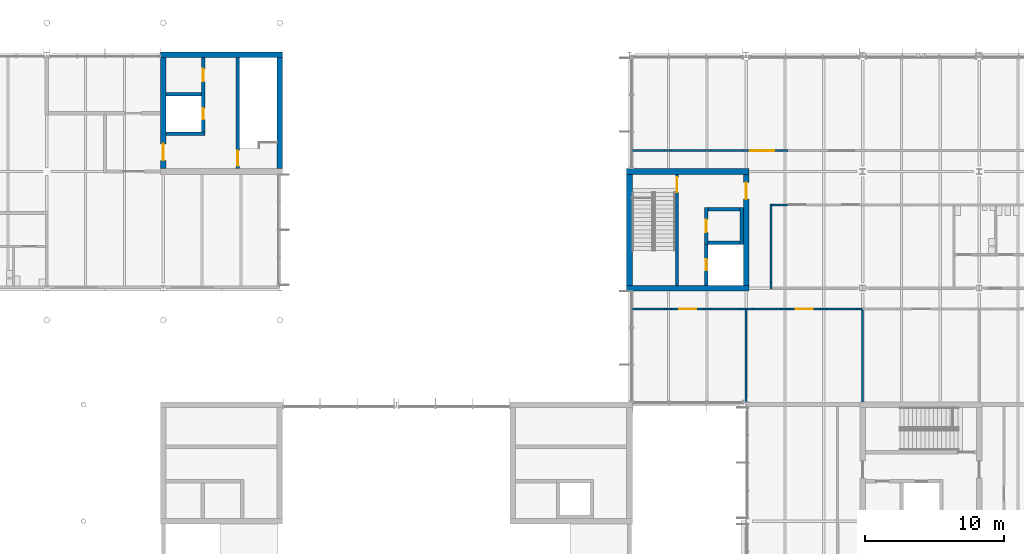
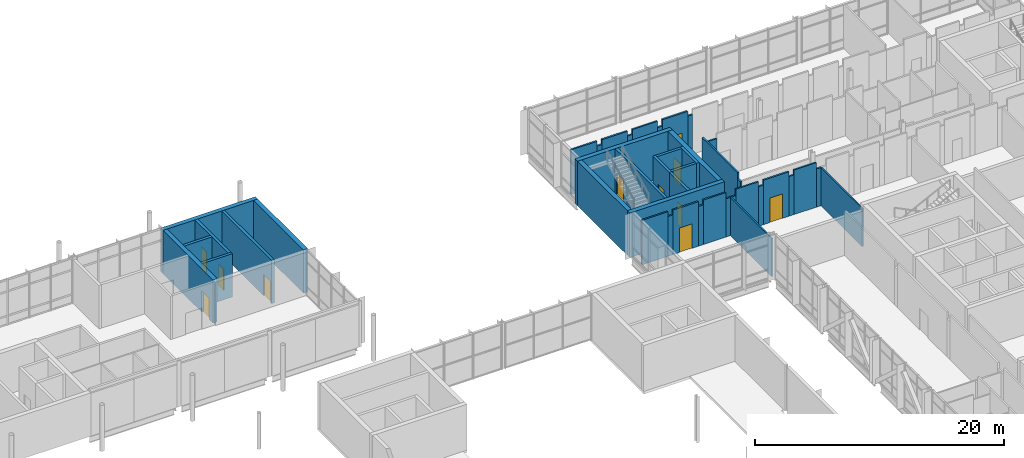
# One storey, part 57 of 89: 43 walls, 11 doors, 11 openings.
"""IFC4 building model written with IfcOpenShell, lengths in metres."""

import ifcopenshell
import ifcopenshell.guid

model = None  # the IFC model being written
_history = None  # IfcOwnerHistory: only IFC2X3 demands one
_inside = {}  # id of a spatial element -> (the spatial element, [elements in it])
_under = {}  # id of a project, library or spatial element -> (it, [spatial elements below it])
_declared = {}  # id of a project -> (the project, [libraries it declares])
_typed = {}  # id of a type object -> (the type object, [elements of that type])
_made_of = {}  # id of a material, layer set ... -> (it, [elements and type objects made of it])


def new_model(schema):
    """Start an empty IFC model of exactly this schema.

    Asked for "IFC4X3", IfcOpenShell would pick the latest addendum, in which some entities
    have other attributes; the version numbers below select the first issue.
    IFC2X3 requires an IfcOwnerHistory on every rooted entity: one is made here for all.
    """
    global model, _history
    if schema == "IFC4X3":
        model = ifcopenshell.file(schema_version=(4, 3, 0, 0))
    else:
        model = ifcopenshell.file(schema=schema)
    _inside.clear()
    _under.clear()
    _declared.clear()
    _typed.clear()
    _made_of.clear()
    _history = None
    if model.schema == "IFC2X3":
        org = make("IfcOrganization", Name="unknown")
        user = make(
            "IfcPersonAndOrganization",
            ThePerson=make("IfcPerson", FamilyName="unknown"),
            TheOrganization=org,
        )
        app = make(
            "IfcApplication",
            ApplicationDeveloper=org,
            Version="unknown",
            ApplicationFullName="unknown",
            ApplicationIdentifier="unknown",
        )
        _history = make(
            "IfcOwnerHistory",
            OwningUser=user,
            OwningApplication=app,
            ChangeAction="ADDED",
            CreationDate=0,
        )
    return model


def make(cls, **values):
    """One entity of the class cls with the attributes given. An attribute that is None is left unset."""
    return model.create_entity(
        cls, **{name: value for name, value in values.items() if value is not None}
    )


def rooted(cls, **values):
    """An entity with a GlobalId (a new one), such as an element, a storey or a relation."""
    return make(cls, GlobalId=ifcopenshell.guid.new(), OwnerHistory=_history, **values)


def si_unit(unit_type, name, prefix=None):
    """IfcSIUnit, for example si_unit("LENGTHUNIT", "METRE", prefix="MILLI")."""
    return make("IfcSIUnit", UnitType=unit_type, Prefix=prefix, Name=name)


def assignment(units):
    """IfcUnitAssignment: the units of a project."""
    return None if units is None else make("IfcUnitAssignment", Units=units)


def point(xyz):
    """IfcCartesianPoint."""
    return None if xyz is None else make("IfcCartesianPoint", Coordinates=xyz)


def direction(xyz):
    """IfcDirection."""
    return None if xyz is None else make("IfcDirection", DirectionRatios=xyz)


def frame(location, z_axis=None, x_axis=None):
    """IfcAxis2Placement3D, a coordinate frame: its origin and axes. An axis left out is left unset."""
    return make(
        "IfcAxis2Placement3D",
        Location=point(location),
        Axis=direction(z_axis),
        RefDirection=direction(x_axis),
    )


def frame_2d(location, x_axis=None):
    """IfcAxis2Placement2D, a coordinate frame in the plane: its origin and x axis."""
    return make(
        "IfcAxis2Placement2D", Location=point(location), RefDirection=direction(x_axis)
    )


def origin():
    """The frame at (0, 0, 0) with its axes left unset."""
    return frame((0.0, 0.0, 0.0))


def place(relative_to, where):
    """IfcLocalPlacement: puts the frame where relative to a parent placement (None: the world)."""
    return make(
        "IfcLocalPlacement", PlacementRelTo=relative_to, RelativePlacement=where
    )


def context(
    kind, dimensions, precision=None, world=None, true_north=None, identifier=None
):
    """IfcGeometricRepresentationContext, for example the 3D "Model" context."""
    return make(
        "IfcGeometricRepresentationContext",
        ContextIdentifier=identifier,
        ContextType=kind,
        CoordinateSpaceDimension=dimensions,
        Precision=precision,
        WorldCoordinateSystem=world,
        TrueNorth=true_north,
    )


def subcontext(parent, identifier, kind, view, scale=None):
    """IfcGeometricRepresentationSubContext, for example "Body" below "Model"."""
    return make(
        "IfcGeometricRepresentationSubContext",
        ContextIdentifier=identifier,
        ContextType=kind,
        ParentContext=parent,
        TargetScale=scale,
        TargetView=view,
    )


def project(units=None, contexts=None):
    """IfcProject with its units and contexts."""
    return rooted(
        "IfcProject",
        Name="project",
        RepresentationContexts=contexts,
        UnitsInContext=assignment(units),
    )


def spatial(cls, under=None, at=None, **own):
    """A site, building, storey or space (cls), placed at a placement, below another one or the project."""
    s = rooted(cls, ObjectPlacement=at, **own)
    if under is not None:
        _under.setdefault(under.id(), (under, []))[1].append(s)
    return s


def profile(cls, at=None, kind="AREA", **sizes):
    """A parametric profile (cls). Its sizes go by their IFC names, for example OverallWidth=200.0."""
    return make(cls, ProfileType=kind, Position=at, **sizes)


def rectangle(**sizes):
    """IfcRectangleProfileDef."""
    return profile("IfcRectangleProfileDef", **sizes)


def extrude(swept, where, along, depth):
    """IfcExtrudedAreaSolid: the profile swept, set in the frame where, extruded along a direction by depth."""
    return make(
        "IfcExtrudedAreaSolid",
        SweptArea=swept,
        Position=where,
        ExtrudedDirection=direction(along),
        Depth=depth,
    )


def shape(context_of_items, identifier, shape_type, items):
    """IfcShapeRepresentation: the items that make up one representation, for example the "Body"."""
    return make(
        "IfcShapeRepresentation",
        ContextOfItems=context_of_items,
        RepresentationIdentifier=identifier,
        RepresentationType=shape_type,
        Items=items,
    )


def material(Name=None, Category=None):
    """IfcMaterial."""
    return make("IfcMaterial", Name=Name, Category=Category)


def layer(
    of_material, thickness, ventilated=None, Name=None, Category=None, Priority=None
):
    """IfcMaterialLayer: one layer of a wall or slab, of a material (None: an air gap)."""
    return make(
        "IfcMaterialLayer",
        Material=of_material,
        LayerThickness=thickness,
        IsVentilated=ventilated,
        Name=Name,
        Category=Category,
        Priority=Priority,
    )


def layer_set(layers, Name=None):
    """IfcMaterialLayerSet."""
    return make("IfcMaterialLayerSet", MaterialLayers=layers, LayerSetName=Name)


def made_of(thing, what):
    """Note that an element or type object is made of a material, layer set ...; save() writes the relation."""
    if what is not None:
        _made_of.setdefault(what.id(), (what, []))[1].append(thing)
    return thing


def type_object(cls, material=None, **own):
    """A type object (cls), such as IfcWallType, which elements share."""
    return made_of(rooted(cls, **own), material)


def element(
    cls,
    number,
    at=None,
    inside=None,
    cuts=None,
    type_object=None,
    material=None,
    context=None,
    identifier="Body",
    shape_type=None,
    held_by="IfcProductDefinitionShape",
    body=None,
    shapes=None,
    **own,
):
    """One element of the class cls, such as IfcWall. Its Tag is "e" and its number.

    at: its placement. inside: the storey or other place that contains it. cuts: it is an
    opening in that element (IfcRelVoidsElement). A single representation is given by context,
    identifier, shape_type and body (its items); several are given by shapes. held_by: the class
    of the entity that holds the representations. save() writes the other relations.
    """
    e = rooted(cls, Tag="e%d" % number, ObjectPlacement=at, **own)
    if body is not None:
        shapes = [shape(context, identifier, shape_type, body)]
    if shapes is not None:
        e.Representation = make(held_by, Representations=shapes)
    if inside is not None:
        _inside.setdefault(inside.id(), (inside, []))[1].append(e)
    if cuts is not None:
        rooted(
            "IfcRelVoidsElement", RelatingBuildingElement=cuts, RelatedOpeningElement=e
        )
    if type_object is not None:
        _typed.setdefault(type_object.id(), (type_object, []))[1].append(e)
    return made_of(e, material)


def fill(opening, filler):
    """IfcRelFillsElement: the door or window that sits in an opening."""
    return rooted(
        "IfcRelFillsElement",
        RelatingOpeningElement=opening,
        RelatedBuildingElement=filler,
    )


def aggregate(whole, parts):
    """IfcRelAggregates: a whole, such as a stair, and the parts it consists of."""
    return rooted("IfcRelAggregates", RelatingObject=whole, RelatedObjects=parts)


def save(model, path):
    """Write the relations noted so far, then the file.

    IfcRelAggregates (storeys below a building ...), IfcRelContainedInSpatialStructure (elements
    in a storey), IfcRelDefinesByType, IfcRelAssociatesMaterial and IfcRelDeclares: one each for
    every whole, place, type object, material and project.
    """
    for whole, parts in _under.values():
        aggregate(whole, parts)
    for where, things in _inside.values():
        rooted(
            "IfcRelContainedInSpatialStructure",
            RelatedElements=things,
            RelatingStructure=where,
        )
    for kind, things in _typed.values():
        rooted("IfcRelDefinesByType", RelatedObjects=things, RelatingType=kind)
    for what, things in _made_of.values():
        rooted("IfcRelAssociatesMaterial", RelatedObjects=things, RelatingMaterial=what)
    for by, libraries in _declared.values():
        rooted("IfcRelDeclares", RelatingContext=by, RelatedDefinitions=libraries)
    model.write(path)


model = new_model("IFC4")

# Units and contexts
model_context = context("Model", 3, precision=1e-05, world=origin(), true_north=direction((0.0, 1.0)))
body_context = subcontext(model_context, "Body", "Model", "MODEL_VIEW")
ifc_project = project(units=[si_unit("LENGTHUNIT", "METRE"), si_unit("AREAUNIT", "SQUARE_METRE"), si_unit("VOLUMEUNIT", "CUBIC_METRE"), si_unit("PLANEANGLEUNIT", "RADIAN"), si_unit("MASSUNIT", "GRAM", prefix="KILO")], contexts=[model_context])

# Site, building, storey
site_placement = place(None, origin())
site = spatial("IfcSite", under=ifc_project, at=site_placement, CompositionType="ELEMENT")
building_placement = place(site_placement, origin())
building = spatial("IfcBuilding", under=site, at=building_placement, Name="Hlaing Beacon Police Headquarters", CompositionType="ELEMENT")
storey_placement = place(building_placement, frame((0.0, 0.0, 9.89990234375)))
storey = spatial("IfcBuildingStorey", under=building, at=storey_placement, Name="L02", CompositionType="ELEMENT", Elevation=9.89990234375)

# Wall
ifc_material_1 = material(Name="Concrete C60/75", Category="concrete")
ifc_layer_1 = layer(ifc_material_1, 0.39990234375)
ifc_layer_set_1 = layer_set([ifc_layer_1], Name="Concrete C60/75")
wall_type_1 = type_object("IfcWallType", Name="Core shear wall 400", PredefinedType="SHEAR", material=ifc_layer_set_1)
wall_1_placement = place(storey_placement, frame((58.60009765625, 92.39990234375, 0.0), z_axis=(0.0, 0.0, 1.0), x_axis=(1.0, 0.0, 0.0)))
element("IfcWall", 1, at=wall_1_placement, inside=storey, type_object=wall_type_1, Name="Core shear wall", PredefinedType="SHEAR", context=body_context, shape_type="SweptSolid", body=[
    extrude(rectangle(XDim=8.7998046875, YDim=0.39990234375, at=frame_2d((4.39990234375, 0.0))), origin(), (0.0, 0.0, 1.0), 4.25),
])

# Wall, opening, door
wall_2_placement = place(storey_placement, frame((58.800048828125, 84.199951171875, 0.0), z_axis=(0.0, 0.0, 1.0), x_axis=(0.0, 1.0, 0.0)))
wall_2 = element("IfcWall", 2, at=wall_2_placement, inside=storey, type_object=wall_type_1, Name="Core shear wall", PredefinedType="SHEAR", context=body_context, shape_type="SweptSolid", body=[
    extrude(rectangle(XDim=8.0, YDim=0.39990234375, at=frame_2d((4.0, 0.0))), origin(), (0.0, 0.0, 1.0), 4.25),
])
opening_1_placement = place(wall_2_placement, frame((0.60009765625, 0.0, 0.0)))
opening_1 = element("IfcOpeningElement", 3, at=opening_1_placement, cuts=wall_2, Name="Opening L02-905", PredefinedType="OPENING", context=body_context, shape_type="SweptSolid", body=[
    extrude(rectangle(XDim=1.199951171875, YDim=2.10009765625, at=frame_2d((0.60009765625, 1.050048828125))), frame((0.0, 0.2099609375, 0.0), z_axis=(0.0, -1.0, 0.0), x_axis=(1.0, 0.0, 0.0)), (0.0, 0.0, 1.0), 0.419921875),
])
ifc_material_2 = material(Name="Steel fire door leaf", Category="steel")
ifc_layer_2 = layer(ifc_material_2, 0.070068359375)
ifc_layer_set_2 = layer_set([ifc_layer_2], Name="Steel fire door leaf")
door_type_1 = type_object("IfcDoorType", Name="Steel fire door FD60S 1200x2100", OperationType="SINGLE_SWING_LEFT", PredefinedType="DOOR", material=ifc_layer_set_2)
door_1_placement = place(opening_1_placement, frame((1.199951171875, 0.0, 0.0), z_axis=(0.0, 0.0, 1.0), x_axis=(-1.0, 0.0, 0.0)))
door_1 = element("IfcDoor", 4, at=door_1_placement, inside=storey, type_object=door_type_1, Name="Door Stair Lobby ST-F Entry", OperationType="SINGLE_SWING_RIGHT", OverallHeight=2.10009765625, OverallWidth=1.199951171875, PredefinedType="DOOR", context=body_context, shape_type="SweptSolid", body=[
    extrude(rectangle(XDim=1.199951171875, YDim=2.10009765625, at=frame_2d((0.599853515625, 1.050048828125))), frame((0.0, 0.034912109375, 0.0), z_axis=(0.0, -1.0, 0.0), x_axis=(1.0, 0.0, 0.0)), (0.0, 0.0, 1.0), 0.070068359375),
])
fill(opening_1, door_1)

# Walls
wall_3_placement = place(storey_placement, frame((67.199951171875, 84.199951171875, 0.0), z_axis=(0.0, 0.0, 1.0), x_axis=(0.0, 1.0, 0.0)))
element("IfcWall", 5, at=wall_3_placement, inside=storey, type_object=wall_type_1, Name="Core shear wall", PredefinedType="SHEAR", context=body_context, shape_type="SweptSolid", body=[
    extrude(rectangle(XDim=8.0, YDim=0.39990234375, at=frame_2d((4.0, 0.0))), origin(), (0.0, 0.0, 1.0), 4.25),
])
for number, where, z_axis, x_axis, name in (
    (6, (92.199951171875, 75.60009765625, 0.0), (0.0, 0.0, 1.0), (1.0, 0.0, 0.0), "Core shear wall"),
    (7, (92.199951171875, 84.0, 0.0), (0.0, 0.0, 1.0), (1.0, 0.0, 0.0), "Core shear wall"),
):
    element("IfcWall", number, at=place(storey_placement, frame(where, z_axis=z_axis, x_axis=x_axis)), inside=storey, type_object=wall_type_1, Name=name, PredefinedType="SHEAR", context=body_context, shape_type="SweptSolid", body=[
        extrude(rectangle(XDim=8.800048828125, YDim=0.39990234375, at=frame_2d((4.39990234375, 0.0))), origin(), (0.0, 0.0, 1.0), 4.3701171875),
    ])
wall_4_placement = place(storey_placement, frame((92.39990234375, 75.800048828125, 0.0), z_axis=(0.0, 0.0, 1.0), x_axis=(0.0, 1.0, 0.0)))
element("IfcWall", 8, at=wall_4_placement, inside=storey, type_object=wall_type_1, Name="Core shear wall", PredefinedType="SHEAR", context=body_context, shape_type="SweptSolid", body=[
    extrude(rectangle(XDim=8.0, YDim=0.39990234375, at=frame_2d((4.0, 0.0))), origin(), (0.0, 0.0, 1.0), 4.3701171875),
])

# Wall, opening, door
wall_5_placement = place(storey_placement, frame((100.800048828125, 75.800048828125, 0.0), z_axis=(0.0, 0.0, 1.0), x_axis=(0.0, 1.0, 0.0)))
wall_5 = element("IfcWall", 9, at=wall_5_placement, inside=storey, type_object=wall_type_1, Name="Core shear wall", PredefinedType="SHEAR", context=body_context, shape_type="SweptSolid", body=[
    extrude(rectangle(XDim=8.0, YDim=0.39990234375, at=frame_2d((4.0, 0.0))), origin(), (0.0, 0.0, 1.0), 4.3701171875),
])
opening_2_placement = place(wall_5_placement, frame((6.199951171875, 0.0, 0.0)))
opening_2 = element("IfcOpeningElement", 10, at=opening_2_placement, cuts=wall_5, Name="Opening L02-945", PredefinedType="OPENING", context=body_context, shape_type="SweptSolid", body=[
    extrude(rectangle(XDim=1.199951171875, YDim=2.10009765625, at=frame_2d((0.60009765625, 1.050048828125))), frame((0.0, 0.2099609375, 0.0), z_axis=(0.0, -1.0, 0.0), x_axis=(1.0, 0.0, 0.0)), (0.0, 0.0, 1.0), 0.419921875),
])
door_2_placement = place(opening_2_placement, origin())
door_2 = element("IfcDoor", 11, at=door_2_placement, inside=storey, type_object=door_type_1, Name="Door Lift and Stair Lobby ST-Q Entry", OperationType="SINGLE_SWING_RIGHT", OverallHeight=2.10009765625, OverallWidth=1.199951171875, PredefinedType="DOOR", context=body_context, shape_type="SweptSolid", body=[
    extrude(rectangle(XDim=1.199951171875, YDim=2.10009765625, at=frame_2d((0.60009765625, 1.050048828125))), frame((0.0, 0.03515625, 0.0), z_axis=(0.0, -1.0, 0.0), x_axis=(1.0, 0.0, 0.0)), (0.0, 0.0, 1.0), 0.070068359375),
])
fill(opening_2, door_2)

# Walls
ifc_material_3 = material(Name="Gypsum board partition")
ifc_layer_3 = layer(ifc_material_3, 0.14990234375)
ifc_layer_set_3 = layer_set([ifc_layer_3], Name="Gypsum board partition")
wall_type_2 = type_object("IfcWallType", Name="Corridor wall EI 30 150", PredefinedType="PARTITIONING", material=ifc_layer_set_3)
wall_6_placement = place(storey_placement, frame((102.60009765625, 75.52490234375, 0.0), z_axis=(0.0, 0.0, 1.0), x_axis=(0.0, 1.0, 0.0)))
element("IfcWall", 12, at=wall_6_placement, inside=storey, type_object=wall_type_2, Name="Corridor wall EI 30 150", PredefinedType="PARTITIONING", context=body_context, shape_type="SweptSolid", body=[
    extrude(rectangle(XDim=0.460205078125, YDim=0.14990234375, at=frame_2d((0.22998046875, 0.0))), origin(), (0.0, 0.0, 1.0), 3.74609375),
])
wall_7_placement = place(storey_placement, frame((102.60009765625, 75.985107421875, 0.0), z_axis=(0.0, 0.0, 1.0), x_axis=(0.0, 1.0, 0.0)))
element("IfcWall", 13, at=wall_7_placement, inside=storey, type_object=wall_type_2, Name="Corridor wall EI 30 150", PredefinedType="PARTITIONING", context=body_context, shape_type="SweptSolid", body=[
    extrude(rectangle(XDim=5.68994140625, YDim=0.14990234375, at=frame_2d((2.844970703125, 0.0))), origin(), (0.0, 0.0, 1.0), 4.3701171875),
])
wall_8_placement = place(storey_placement, frame((102.675048828125, 81.60009765625, 0.0), z_axis=(0.0, 0.0, 1.0), x_axis=(1.0, 0.0, 0.0)))
element("IfcWall", 14, at=wall_8_placement, inside=storey, type_object=wall_type_2, Name="Corridor wall EI 30 150", PredefinedType="PARTITIONING", context=body_context, shape_type="SweptSolid", body=[
    extrude(rectangle(XDim=1.155029296875, YDim=0.14990234375, at=frame_2d((0.57763671875, 0.0))), origin(), (0.0, 0.0, 1.0), 3.89501953125),
])
wall_9_placement = place(storey_placement, frame((92.550048828125, 85.5, 0.0), z_axis=(0.0, 0.0, 1.0), x_axis=(1.0, 0.0, 0.0)))
element("IfcWall", 15, at=wall_9_placement, inside=storey, type_object=wall_type_2, Name="Corridor wall EI 30 150", PredefinedType="PARTITIONING", context=body_context, shape_type="SweptSolid", body=[
    extrude(rectangle(XDim=2.419921875, YDim=0.14990234375, at=frame_2d((1.2099609375, 0.0))), origin(), (0.0, 0.0, 1.0), 4.3701171875),
])
wall_10_placement = place(storey_placement, frame((94.969970703125, 85.5, 0.0), z_axis=(0.0, 0.0, 1.0), x_axis=(1.0, 0.0, 0.0)))
element("IfcWall", 16, at=wall_10_placement, inside=storey, type_object=wall_type_2, Name="Corridor wall EI 30 150", PredefinedType="PARTITIONING", context=body_context, shape_type="SweptSolid", body=[
    extrude(rectangle(XDim=0.4599609375, YDim=0.14990234375, at=frame_2d((0.22998046875, 0.0))), origin(), (0.0, 0.0, 1.0), 3.89501953125),
])
wall_11_placement = place(storey_placement, frame((95.429931640625, 85.5, 0.0), z_axis=(0.0, 0.0, 1.0), x_axis=(1.0, 0.0, 0.0)))
element("IfcWall", 17, at=wall_11_placement, inside=storey, type_object=wall_type_2, Name="Corridor wall EI 30 150", PredefinedType="PARTITIONING", context=body_context, shape_type="SweptSolid", body=[
    extrude(rectangle(XDim=2.340087890625, YDim=0.14990234375, at=frame_2d((1.169921875, 0.0))), origin(), (0.0, 0.0, 1.0), 4.3701171875),
])
wall_12_placement = place(storey_placement, frame((97.77001953125, 85.5, 0.0), z_axis=(0.0, 0.0, 1.0), x_axis=(1.0, 0.0, 0.0)))
element("IfcWall", 18, at=wall_12_placement, inside=storey, type_object=wall_type_2, Name="Corridor wall EI 30 150", PredefinedType="PARTITIONING", context=body_context, shape_type="SweptSolid", body=[
    extrude(rectangle(XDim=0.4599609375, YDim=0.14990234375, at=frame_2d((0.22998046875, 0.0))), origin(), (0.0, 0.0, 1.0), 3.89501953125),
])
wall_13_placement = place(storey_placement, frame((98.22998046875, 85.5, 0.0), z_axis=(0.0, 0.0, 1.0), x_axis=(1.0, 0.0, 0.0)))
element("IfcWall", 19, at=wall_13_placement, inside=storey, type_object=wall_type_2, Name="Corridor wall EI 30 150", PredefinedType="PARTITIONING", context=body_context, shape_type="SweptSolid", body=[
    extrude(rectangle(XDim=2.340087890625, YDim=0.14990234375, at=frame_2d((1.169921875, 0.0))), origin(), (0.0, 0.0, 1.0), 4.3701171875),
])
wall_14_placement = place(storey_placement, frame((100.570068359375, 85.5, 0.0), z_axis=(0.0, 0.0, 1.0), x_axis=(1.0, 0.0, 0.0)))
element("IfcWall", 20, at=wall_14_placement, inside=storey, type_object=wall_type_2, Name="Corridor wall EI 30 150", PredefinedType="PARTITIONING", context=body_context, shape_type="SweptSolid", body=[
    extrude(rectangle(XDim=0.4599609375, YDim=0.14990234375, at=frame_2d((0.22998046875, 0.0))), origin(), (0.0, 0.0, 1.0), 3.74609375),
])

# Wall, opening, door
wall_15_placement = place(storey_placement, frame((101.030029296875, 85.5, 0.0), z_axis=(0.0, 0.0, 1.0), x_axis=(1.0, 0.0, 0.0)))
wall_15 = element("IfcWall", 21, at=wall_15_placement, inside=storey, type_object=wall_type_2, Name="Corridor wall EI 30 150", PredefinedType="PARTITIONING", context=body_context, shape_type="SweptSolid", body=[
    extrude(rectangle(XDim=2.340087890625, YDim=0.14990234375, at=frame_2d((1.169921875, 0.0))), origin(), (0.0, 0.0, 1.0), 4.3701171875),
])
opening_3_placement = place(wall_15_placement, frame((0.02001953125, 0.0, 0.0)))
opening_3 = element("IfcOpeningElement", 22, at=opening_3_placement, cuts=wall_15, Name="Opening L02-044", PredefinedType="OPENING", context=body_context, shape_type="SweptSolid", body=[
    extrude(rectangle(XDim=1.800048828125, YDim=2.39990234375, at=frame_2d((0.89990234375, 1.199951171875))), frame((0.0, 0.0849609375, 0.0), z_axis=(0.0, -1.0, 0.0), x_axis=(1.0, 0.0, 0.0)), (0.0, 0.0, 1.0), 0.169921875),
])
ifc_material_4 = material(Name="Hardwood door leaf", Category="wood")
ifc_layer_4 = layer(ifc_material_4, 0.050048828125)
ifc_layer_set_4 = layer_set([ifc_layer_4], Name="Hardwood door leaf")
door_type_2 = type_object("IfcDoorType", Name="Fire public double door FD30S 1800x2400", OperationType="DOUBLE_DOOR_SINGLE_SWING", PredefinedType="DOOR", material=ifc_layer_set_4)
door_3_placement = place(opening_3_placement, frame((1.800048828125, 0.0, 0.0), z_axis=(0.0, 0.0, 1.0), x_axis=(-1.0, 0.0, 0.0)))
door_3 = element("IfcDoor", 23, at=door_3_placement, inside=storey, type_object=door_type_2, Name="Door Lecture Theatre", OperationType="DOUBLE_DOOR_SINGLE_SWING", OverallHeight=2.39990234375, OverallWidth=1.800048828125, PredefinedType="DOOR", context=body_context, shape_type="SweptSolid", body=[
    extrude(rectangle(XDim=1.800048828125, YDim=2.39990234375, at=frame_2d((0.900146484375, 1.199951171875))), frame((0.0, 0.025146484375, 0.0), z_axis=(0.0, -1.0, 0.0), x_axis=(1.0, 0.0, 0.0)), (0.0, 0.0, 1.0), 0.050048828125),
])
fill(opening_3, door_3)

# Walls
wall_16_placement = place(storey_placement, frame((103.3701171875, 85.5, 0.0), z_axis=(0.0, 0.0, 1.0), x_axis=(1.0, 0.0, 0.0)))
element("IfcWall", 24, at=wall_16_placement, inside=storey, type_object=wall_type_2, Name="Corridor wall EI 30 150", PredefinedType="PARTITIONING", context=body_context, shape_type="SweptSolid", body=[
    extrude(rectangle(XDim=0.4599609375, YDim=0.14990234375, at=frame_2d((0.22998046875, 0.0))), origin(), (0.0, 0.0, 1.0), 3.89501953125),
])
wall_17_placement = place(storey_placement, frame((92.550048828125, 74.10009765625, 0.0), z_axis=(0.0, 0.0, 1.0), x_axis=(1.0, 0.0, 0.0)))
element("IfcWall", 25, at=wall_17_placement, inside=storey, type_object=wall_type_2, Name="Corridor wall EI 30 150", PredefinedType="PARTITIONING", context=body_context, shape_type="SweptSolid", body=[
    extrude(rectangle(XDim=2.419921875, YDim=0.14990234375, at=frame_2d((1.2099609375, 0.0))), origin(), (0.0, 0.0, 1.0), 4.3701171875),
])
wall_18_placement = place(storey_placement, frame((94.969970703125, 74.10009765625, 0.0), z_axis=(0.0, 0.0, 1.0), x_axis=(1.0, 0.0, 0.0)))
element("IfcWall", 26, at=wall_18_placement, inside=storey, type_object=wall_type_2, Name="Corridor wall EI 30 150", PredefinedType="PARTITIONING", context=body_context, shape_type="SweptSolid", body=[
    extrude(rectangle(XDim=0.4599609375, YDim=0.14990234375, at=frame_2d((0.22998046875, 0.0))), origin(), (0.0, 0.0, 1.0), 3.89501953125),
])

# Wall, opening, door
wall_19_placement = place(storey_placement, frame((95.429931640625, 74.10009765625, 0.0), z_axis=(0.0, 0.0, 1.0), x_axis=(1.0, 0.0, 0.0)))
wall_19 = element("IfcWall", 27, at=wall_19_placement, inside=storey, type_object=wall_type_2, Name="Corridor wall EI 30 150", PredefinedType="PARTITIONING", context=body_context, shape_type="SweptSolid", body=[
    extrude(rectangle(XDim=2.340087890625, YDim=0.14990234375, at=frame_2d((1.169921875, 0.0))), origin(), (0.0, 0.0, 1.0), 4.3701171875),
])
opening_4_placement = place(wall_19_placement, frame((0.570068359375, 0.0, 0.0)))
opening_4 = element("IfcOpeningElement", 28, at=opening_4_placement, cuts=wall_19, Name="Opening L02-048", PredefinedType="OPENING", context=body_context, shape_type="SweptSolid", body=[
    extrude(rectangle(XDim=1.199951171875, YDim=2.39990234375, at=frame_2d((0.60009765625, 1.199951171875))), frame((0.0, 0.0849609375, 0.0), z_axis=(0.0, -1.0, 0.0), x_axis=(1.0, 0.0, 0.0)), (0.0, 0.0, 1.0), 0.169921875),
])
ifc_material_5 = material(Name="Hardwood door leaf", Category="wood")
ifc_layer_5 = layer(ifc_material_5, 0.050048828125)
ifc_layer_set_5 = layer_set([ifc_layer_5], Name="Hardwood door leaf")
door_type_3 = type_object("IfcDoorType", Name="Fire public door FD30S 1200x2400", OperationType="SINGLE_SWING_LEFT", PredefinedType="DOOR", material=ifc_layer_set_5)
door_4_placement = place(opening_4_placement, frame((1.199951171875, 0.0, 0.0), z_axis=(0.0, 0.0, 1.0), x_axis=(-1.0, 0.0, 0.0)))
door_4 = element("IfcDoor", 29, at=door_4_placement, inside=storey, type_object=door_type_3, Name="Door Classroom 3", OperationType="SINGLE_SWING_LEFT", OverallHeight=2.39990234375, OverallWidth=1.199951171875, PredefinedType="DOOR", context=body_context, shape_type="SweptSolid", body=[
    extrude(rectangle(XDim=1.199951171875, YDim=2.39990234375, at=frame_2d((0.599853515625, 1.199951171875))), frame((0.0, 0.025146484375, 0.0), z_axis=(0.0, -1.0, 0.0), x_axis=(1.0, 0.0, 0.0)), (0.0, 0.0, 1.0), 0.050048828125),
])
fill(opening_4, door_4)

# Walls
wall_20_placement = place(storey_placement, frame((97.77001953125, 74.10009765625, 0.0), z_axis=(0.0, 0.0, 1.0), x_axis=(1.0, 0.0, 0.0)))
element("IfcWall", 30, at=wall_20_placement, inside=storey, type_object=wall_type_2, Name="Corridor wall EI 30 150", PredefinedType="PARTITIONING", context=body_context, shape_type="SweptSolid", body=[
    extrude(rectangle(XDim=0.4599609375, YDim=0.14990234375, at=frame_2d((0.22998046875, 0.0))), origin(), (0.0, 0.0, 1.0), 3.89501953125),
])
wall_21_placement = place(storey_placement, frame((98.22998046875, 74.10009765625, 0.0), z_axis=(0.0, 0.0, 1.0), x_axis=(1.0, 0.0, 0.0)))
element("IfcWall", 31, at=wall_21_placement, inside=storey, type_object=wall_type_2, Name="Corridor wall EI 30 150", PredefinedType="PARTITIONING", context=body_context, shape_type="SweptSolid", body=[
    extrude(rectangle(XDim=2.110107421875, YDim=0.14990234375, at=frame_2d((1.05517578125, 0.0))), origin(), (0.0, 0.0, 1.0), 4.3701171875),
])
for number, where, z_axis, x_axis, name in (
    (32, (100.340087890625, 74.10009765625, 0.0), (0.0, 0.0, 1.0), (1.0, 0.0, 0.0), "Corridor wall EI 30 150"),
    (33, (100.800048828125, 74.10009765625, 0.0), (0.0, 0.0, 1.0), (1.0, 0.0, 0.0), "Corridor wall EI 30 150"),
):
    element("IfcWall", number, at=place(storey_placement, frame(where, z_axis=z_axis, x_axis=x_axis)), inside=storey, type_object=wall_type_2, Name=name, PredefinedType="PARTITIONING", context=body_context, shape_type="SweptSolid", body=[
        extrude(rectangle(XDim=0.4599609375, YDim=0.14990234375, at=frame_2d((0.22998046875, 0.0))), origin(), (0.0, 0.0, 1.0), 3.74609375),
    ])
wall_22_placement = place(storey_placement, frame((101.260009765625, 74.10009765625, 0.0), z_axis=(0.0, 0.0, 1.0), x_axis=(1.0, 0.0, 0.0)))
element("IfcWall", 34, at=wall_22_placement, inside=storey, type_object=wall_type_2, Name="Corridor wall EI 30 150", PredefinedType="PARTITIONING", context=body_context, shape_type="SweptSolid", body=[
    extrude(rectangle(XDim=2.110107421875, YDim=0.14990234375, at=frame_2d((1.05517578125, 0.0))), origin(), (0.0, 0.0, 1.0), 4.3701171875),
])
wall_23_placement = place(storey_placement, frame((103.3701171875, 74.10009765625, 0.0), z_axis=(0.0, 0.0, 1.0), x_axis=(1.0, 0.0, 0.0)))
element("IfcWall", 35, at=wall_23_placement, inside=storey, type_object=wall_type_2, Name="Corridor wall EI 30 150", PredefinedType="PARTITIONING", context=body_context, shape_type="SweptSolid", body=[
    extrude(rectangle(XDim=0.4599609375, YDim=0.14990234375, at=frame_2d((0.22998046875, 0.0))), origin(), (0.0, 0.0, 1.0), 3.89501953125),
])

# Wall, opening, door
wall_24_placement = place(storey_placement, frame((103.830078125, 74.10009765625, 0.0), z_axis=(0.0, 0.0, 1.0), x_axis=(1.0, 0.0, 0.0)))
wall_24 = element("IfcWall", 36, at=wall_24_placement, inside=storey, type_object=wall_type_2, Name="Corridor wall EI 30 150", PredefinedType="PARTITIONING", context=body_context, shape_type="SweptSolid", body=[
    extrude(rectangle(XDim=2.33984375, YDim=0.14990234375, at=frame_2d((1.169921875, 0.0))), origin(), (0.0, 0.0, 1.0), 4.3701171875),
])
opening_5_placement = place(wall_24_placement, frame((0.570068359375, 0.0, 0.0)))
opening_5 = element("IfcOpeningElement", 37, at=opening_5_placement, cuts=wall_24, Name="Opening L02-049", PredefinedType="OPENING", context=body_context, shape_type="SweptSolid", body=[
    extrude(rectangle(XDim=1.199951171875, YDim=2.39990234375, at=frame_2d((0.60009765625, 1.199951171875))), frame((0.0, 0.0849609375, 0.0), z_axis=(0.0, -1.0, 0.0), x_axis=(1.0, 0.0, 0.0)), (0.0, 0.0, 1.0), 0.169921875),
])
door_5_placement = place(opening_5_placement, frame((1.199951171875, 0.0, 0.0), z_axis=(0.0, 0.0, 1.0), x_axis=(-1.0, 0.0, 0.0)))
door_5 = element("IfcDoor", 38, at=door_5_placement, inside=storey, type_object=door_type_3, Name="Door Classroom 4", OperationType="SINGLE_SWING_RIGHT", OverallHeight=2.39990234375, OverallWidth=1.199951171875, PredefinedType="DOOR", context=body_context, shape_type="SweptSolid", body=[
    extrude(rectangle(XDim=1.199951171875, YDim=2.39990234375, at=frame_2d((0.599853515625, 1.199951171875))), frame((0.0, 0.025146484375, 0.0), z_axis=(0.0, -1.0, 0.0), x_axis=(1.0, 0.0, 0.0)), (0.0, 0.0, 1.0), 0.050048828125),
])
fill(opening_5, door_5)

# Walls
wall_25_placement = place(storey_placement, frame((106.169921875, 74.10009765625, 0.0), z_axis=(0.0, 0.0, 1.0), x_axis=(1.0, 0.0, 0.0)))
element("IfcWall", 39, at=wall_25_placement, inside=storey, type_object=wall_type_2, Name="Corridor wall EI 30 150", PredefinedType="PARTITIONING", context=body_context, shape_type="SweptSolid", body=[
    extrude(rectangle(XDim=0.4599609375, YDim=0.14990234375, at=frame_2d((0.22998046875, 0.0))), origin(), (0.0, 0.0, 1.0), 3.89501953125),
])
wall_26_placement = place(storey_placement, frame((106.6298828125, 74.10009765625, 0.0), z_axis=(0.0, 0.0, 1.0), x_axis=(1.0, 0.0, 0.0)))
element("IfcWall", 40, at=wall_26_placement, inside=storey, type_object=wall_type_2, Name="Corridor wall EI 30 150", PredefinedType="PARTITIONING", context=body_context, shape_type="SweptSolid", body=[
    extrude(rectangle(XDim=2.110107421875, YDim=0.14990234375, at=frame_2d((1.05517578125, 0.0))), origin(), (0.0, 0.0, 1.0), 4.3701171875),
])
wall_27_placement = place(storey_placement, frame((108.739990234375, 74.10009765625, 0.0), z_axis=(0.0, 0.0, 1.0), x_axis=(1.0, 0.0, 0.0)))
element("IfcWall", 41, at=wall_27_placement, inside=storey, type_object=wall_type_2, Name="Corridor wall EI 30 150", PredefinedType="PARTITIONING", context=body_context, shape_type="SweptSolid", body=[
    extrude(rectangle(XDim=0.4599609375, YDim=0.14990234375, at=frame_2d((0.22998046875, 0.0))), origin(), (0.0, 0.0, 1.0), 3.74609375),
])
ifc_material_6 = material(Name="Gypsum board partition")
ifc_layer_6 = layer(ifc_material_6, 0.125)
ifc_layer_set_6 = layer_set([ifc_layer_6], Name="Gypsum board partition")
wall_type_3 = type_object("IfcWallType", Name="Partition 125", PredefinedType="PARTITIONING", material=ifc_layer_set_6)
wall_28_placement = place(storey_placement, frame((100.800048828125, 67.387939453125, 0.0), z_axis=(0.0, 0.0, 1.0), x_axis=(0.0, 1.0, 0.0)))
element("IfcWall", 42, at=wall_28_placement, inside=storey, type_object=wall_type_3, Name="Partition 125", PredefinedType="PARTITIONING", context=body_context, shape_type="SweptSolid", body=[
    extrude(rectangle(XDim=6.636962890625, YDim=0.125, at=frame_2d((3.318359375, 0.0))), origin(), (0.0, 0.0, 1.0), 3.74609375),
])
wall_29_placement = place(storey_placement, frame((109.199951171875, 67.39990234375, 0.0), z_axis=(0.0, 0.0, 1.0), x_axis=(0.0, 1.0, 0.0)))
element("IfcWall", 43, at=wall_29_placement, inside=storey, type_object=wall_type_3, Name="Partition 125", PredefinedType="PARTITIONING", context=body_context, shape_type="SweptSolid", body=[
    extrude(rectangle(XDim=6.625, YDim=0.125, at=frame_2d((3.3125, 0.0))), origin(), (0.0, 0.0, 1.0), 3.74609375),
])

# Wall, opening, door
ifc_material_7 = material(Name="Concrete C40/50", Category="concrete")
ifc_layer_7 = layer(ifc_material_7, 0.25)
ifc_layer_set_7 = layer_set([ifc_layer_7], Name="Concrete C40/50")
wall_type_4 = type_object("IfcWallType", Name="Shaft wall 250", PredefinedType="SOLIDWALL", material=ifc_layer_set_7)
wall_30_placement = place(storey_placement, frame((64.175048828125, 84.199951171875, 0.0), z_axis=(0.0, 0.0, 1.0), x_axis=(0.0, 1.0, 0.0)))
wall_30 = element("IfcWall", 44, at=wall_30_placement, inside=storey, type_object=wall_type_4, Name="Stair enclosure wall", PredefinedType="SOLIDWALL", context=body_context, shape_type="SweptSolid", body=[
    extrude(rectangle(XDim=8.0, YDim=0.25, at=frame_2d((4.0, 0.0))), origin(), (0.0, 0.0, 1.0), 4.25),
])
opening_6_placement = place(wall_30_placement, frame((0.199951171875, 0.0, 0.0)))
opening_6 = element("IfcOpeningElement", 45, at=opening_6_placement, cuts=wall_30, Name="Opening L02-907", PredefinedType="OPENING", context=body_context, shape_type="SweptSolid", body=[
    extrude(rectangle(XDim=1.10009765625, YDim=2.10009765625, at=frame_2d((0.550048828125, 1.050048828125))), frame((0.0, 0.135009765625, 0.0), z_axis=(0.0, -1.0, 0.0), x_axis=(1.0, 0.0, 0.0)), (0.0, 0.0, 1.0), 0.27001953125),
])
ifc_material_8 = material(Name="Steel fire door leaf", Category="steel")
ifc_layer_8 = layer(ifc_material_8, 0.070068359375)
ifc_layer_set_8 = layer_set([ifc_layer_8], Name="Steel fire door leaf")
door_type_4 = type_object("IfcDoorType", Name="Steel fire door FD60 1100x2100", OperationType="SINGLE_SWING_LEFT", PredefinedType="DOOR", material=ifc_layer_set_8)
door_6_placement = place(opening_6_placement, frame((1.10009765625, 0.0, 0.0), z_axis=(0.0, 0.0, 1.0), x_axis=(-1.0, 0.0, 0.0)))
door_6 = element("IfcDoor", 46, at=door_6_placement, inside=storey, type_object=door_type_4, Name="Door Stair ST-F", OperationType="SINGLE_SWING_LEFT", OverallHeight=2.10009765625, OverallWidth=1.10009765625, PredefinedType="DOOR", context=body_context, shape_type="SweptSolid", body=[
    extrude(rectangle(XDim=1.10009765625, YDim=2.10009765625, at=frame_2d((0.550048828125, 1.050048828125))), frame((0.0, 0.034912109375, 0.0), z_axis=(0.0, -1.0, 0.0), x_axis=(1.0, 0.0, 0.0)), (0.0, 0.0, 1.0), 0.070068359375),
])
fill(opening_6, door_6)

# Wall
wall_31_placement = place(storey_placement, frame((61.800048828125, 86.72509765625, 0.0), z_axis=(0.0, 0.0, 1.0), x_axis=(-1.0, 0.0, 0.0)))
element("IfcWall", 47, at=wall_31_placement, inside=storey, type_object=wall_type_4, Name="Lobby wall", PredefinedType="SOLIDWALL", context=body_context, shape_type="SweptSolid", body=[
    extrude(rectangle(XDim=2.800048828125, YDim=0.25, at=frame_2d((1.39990234375, 0.0))), origin(), (0.0, 0.0, 1.0), 4.25),
])

# Wall, openings, doors
wall_32_placement = place(storey_placement, frame((61.675048828125, 86.85009765625, 0.0), z_axis=(0.0, 0.0, 1.0), x_axis=(0.0, 1.0, 0.0)))
wall_32 = element("IfcWall", 48, at=wall_32_placement, inside=storey, type_object=wall_type_4, Name="Lobby wall", PredefinedType="SOLIDWALL", context=body_context, shape_type="SweptSolid", body=[
    extrude(rectangle(XDim=5.349853515625, YDim=0.25, at=frame_2d((2.6748046875, 0.0))), origin(), (0.0, 0.0, 1.0), 4.25),
])
opening_7_placement = place(wall_32_placement, frame((3.64990234375, 0.0, 0.0)))
opening_7 = element("IfcOpeningElement", 49, at=opening_7_placement, cuts=wall_32, Name="Opening L02-904", PredefinedType="OPENING", context=body_context, shape_type="SweptSolid", body=[
    extrude(rectangle(XDim=0.89990234375, YDim=2.10009765625, at=frame_2d((0.449951171875, 1.050048828125))), frame((0.0, 0.135009765625, 0.0), z_axis=(0.0, -1.0, 0.0), x_axis=(1.0, 0.0, 0.0)), (0.0, 0.0, 1.0), 0.27001953125),
])
opening_8_placement = place(wall_32_placement, frame((0.89990234375, 0.0, 0.0)))
opening_8 = element("IfcOpeningElement", 50, at=opening_8_placement, cuts=wall_32, Name="Opening L02-906", PredefinedType="OPENING", context=body_context, shape_type="SweptSolid", body=[
    extrude(rectangle(XDim=0.800048828125, YDim=2.10009765625, at=frame_2d((0.39990234375, 1.050048828125))), frame((0.0, 0.135009765625, 0.0), z_axis=(0.0, -1.0, 0.0), x_axis=(1.0, 0.0, 0.0)), (0.0, 0.0, 1.0), 0.27001953125),
])
ifc_material_9 = material(Name="Steel fire door leaf", Category="steel")
ifc_layer_9 = layer(ifc_material_9, 0.070068359375)
ifc_layer_set_9 = layer_set([ifc_layer_9], Name="Steel fire door leaf")
door_type_5 = type_object("IfcDoorType", Name="Steel fire door FD60 800x2100", OperationType="SINGLE_SWING_LEFT", PredefinedType="DOOR", material=ifc_layer_set_9)
door_7_placement = place(opening_8_placement, origin())
door_7 = element("IfcDoor", 51, at=door_7_placement, inside=storey, type_object=door_type_5, Name="Door Services Riser", OperationType="SINGLE_SWING_RIGHT", OverallHeight=2.10009765625, OverallWidth=0.800048828125, PredefinedType="DOOR", context=body_context, shape_type="SweptSolid", body=[
    extrude(rectangle(XDim=0.800048828125, YDim=2.10009765625, at=frame_2d((0.39990234375, 1.050048828125))), frame((0.0, 0.03515625, 0.0), z_axis=(0.0, -1.0, 0.0), x_axis=(1.0, 0.0, 0.0)), (0.0, 0.0, 1.0), 0.070068359375),
])
fill(opening_8, door_7)
ifc_material_10 = material(Name="Steel fire door leaf", Category="steel")
ifc_layer_10 = layer(ifc_material_10, 0.070068359375)
ifc_layer_set_10 = layer_set([ifc_layer_10], Name="Steel fire door leaf")
door_type_6 = type_object("IfcDoorType", Name="Steel fire door FD60 900x2100", OperationType="SINGLE_SWING_LEFT", PredefinedType="DOOR", material=ifc_layer_set_10)
door_8_placement = place(opening_7_placement, origin())
door_8 = element("IfcDoor", 52, at=door_8_placement, inside=storey, type_object=door_type_6, Name="Door Cleaners' Store", OperationType="SINGLE_SWING_LEFT", OverallHeight=2.10009765625, OverallWidth=0.89990234375, PredefinedType="DOOR", context=body_context, shape_type="SweptSolid", body=[
    extrude(rectangle(XDim=0.89990234375, YDim=2.10009765625, at=frame_2d((0.449951171875, 1.050048828125))), frame((0.0, 0.03515625, 0.0), z_axis=(0.0, -1.0, 0.0), x_axis=(1.0, 0.0, 0.0)), (0.0, 0.0, 1.0), 0.070068359375),
])
fill(opening_7, door_8)

# Wall
wall_33_placement = place(storey_placement, frame((61.550048828125, 89.574951171875, 0.0), z_axis=(0.0, 0.0, 1.0), x_axis=(-1.0, 0.0, 0.0)))
element("IfcWall", 53, at=wall_33_placement, inside=storey, type_object=wall_type_4, Name="Riser wall", PredefinedType="SOLIDWALL", context=body_context, shape_type="SweptSolid", body=[
    extrude(rectangle(XDim=2.550048828125, YDim=0.25, at=frame_2d((1.27490234375, 0.0))), origin(), (0.0, 0.0, 1.0), 4.25),
])

# Wall, opening, door
wall_34_placement = place(storey_placement, frame((95.824951171875, 83.800048828125, 0.0), z_axis=(0.0, 0.0, 1.0), x_axis=(0.0, -1.0, 0.0)))
wall_34 = element("IfcWall", 54, at=wall_34_placement, inside=storey, type_object=wall_type_4, Name="Stair enclosure wall", PredefinedType="SOLIDWALL", context=body_context, shape_type="SweptSolid", body=[
    extrude(rectangle(XDim=8.0, YDim=0.25, at=frame_2d((4.0, 0.0))), origin(), (0.0, 0.0, 1.0), 4.3701171875),
])
opening_9_placement = place(wall_34_placement, frame((0.199951171875, 0.0, 0.0)))
opening_9 = element("IfcOpeningElement", 55, at=opening_9_placement, cuts=wall_34, Name="Opening L02-948", PredefinedType="OPENING", context=body_context, shape_type="SweptSolid", body=[
    extrude(rectangle(XDim=1.10009765625, YDim=2.10009765625, at=frame_2d((0.550048828125, 1.050048828125))), frame((0.0, 0.135009765625, 0.0), z_axis=(0.0, -1.0, 0.0), x_axis=(1.0, 0.0, 0.0)), (0.0, 0.0, 1.0), 0.27001953125),
])
door_9_placement = place(opening_9_placement, frame((1.10009765625, 0.0, 0.0), z_axis=(0.0, 0.0, 1.0), x_axis=(-1.0, 0.0, 0.0)))
door_9 = element("IfcDoor", 56, at=door_9_placement, inside=storey, type_object=door_type_4, Name="Door Stair ST-Q", OperationType="SINGLE_SWING_LEFT", OverallHeight=2.10009765625, OverallWidth=1.10009765625, PredefinedType="DOOR", context=body_context, shape_type="SweptSolid", body=[
    extrude(rectangle(XDim=1.10009765625, YDim=2.10009765625, at=frame_2d((0.550048828125, 1.050048828125))), frame((0.0, 0.034912109375, 0.0), z_axis=(0.0, -1.0, 0.0), x_axis=(1.0, 0.0, 0.0)), (0.0, 0.0, 1.0), 0.070068359375),
])
fill(opening_9, door_9)

wall_35_placement = place(storey_placement, frame((97.925048828125, 78.75, 0.0), z_axis=(0.0, 0.0, 1.0), x_axis=(0.0, -1.0, 0.0)))
wall_35 = element("IfcWall", 57, at=wall_35_placement, inside=storey, type_object=wall_type_4, Name="Lobby wall", PredefinedType="SOLIDWALL", context=body_context, shape_type="SweptSolid", body=[
    extrude(rectangle(XDim=2.949951171875, YDim=0.25, at=frame_2d((1.47509765625, 0.0))), origin(), (0.0, 0.0, 1.0), 4.3701171875),
])
opening_10_placement = place(wall_35_placement, frame((1.074951171875, 0.0, 0.0)))
opening_10 = element("IfcOpeningElement", 58, at=opening_10_placement, cuts=wall_35, Name="Opening L02-947", PredefinedType="OPENING", context=body_context, shape_type="SweptSolid", body=[
    extrude(rectangle(XDim=0.800048828125, YDim=2.10009765625, at=frame_2d((0.39990234375, 1.050048828125))), frame((0.0, 0.135009765625, 0.0), z_axis=(0.0, -1.0, 0.0), x_axis=(1.0, 0.0, 0.0)), (0.0, 0.0, 1.0), 0.27001953125),
])
door_10_placement = place(opening_10_placement, origin())
door_10 = element("IfcDoor", 59, at=door_10_placement, inside=storey, type_object=door_type_5, Name="Door Services Riser", OperationType="SINGLE_SWING_RIGHT", OverallHeight=2.10009765625, OverallWidth=0.800048828125, PredefinedType="DOOR", context=body_context, shape_type="SweptSolid", body=[
    extrude(rectangle(XDim=0.800048828125, YDim=2.10009765625, at=frame_2d((0.39990234375, 1.050048828125))), frame((0.0, 0.03515625, 0.0), z_axis=(0.0, -1.0, 0.0), x_axis=(1.0, 0.0, 0.0)), (0.0, 0.0, 1.0), 0.070068359375),
])
fill(opening_10, door_10)

wall_36_placement = place(storey_placement, frame((97.925048828125, 81.39990234375, 0.0), z_axis=(0.0, 0.0, 1.0), x_axis=(0.0, -1.0, 0.0)))
wall_36 = element("IfcWall", 60, at=wall_36_placement, inside=storey, type_object=wall_type_4, Name="Store wall", PredefinedType="SOLIDWALL", context=body_context, shape_type="SweptSolid", body=[
    extrude(rectangle(XDim=2.64990234375, YDim=0.25, at=frame_2d((1.324951171875, 0.0))), origin(), (0.0, 0.0, 1.0), 4.3701171875),
])
opening_11_placement = place(wall_36_placement, frame((0.875, 0.0, 0.0)))
opening_11 = element("IfcOpeningElement", 61, at=opening_11_placement, cuts=wall_36, Name="Opening L02-946", PredefinedType="OPENING", context=body_context, shape_type="SweptSolid", body=[
    extrude(rectangle(XDim=0.89990234375, YDim=2.10009765625, at=frame_2d((0.449951171875, 1.050048828125))), frame((0.0, 0.135009765625, 0.0), z_axis=(0.0, -1.0, 0.0), x_axis=(1.0, 0.0, 0.0)), (0.0, 0.0, 1.0), 0.27001953125),
])
door_11_placement = place(opening_11_placement, origin())
door_11 = element("IfcDoor", 62, at=door_11_placement, inside=storey, type_object=door_type_6, Name="Door Cleaners' Store", OperationType="SINGLE_SWING_RIGHT", OverallHeight=2.10009765625, OverallWidth=0.89990234375, PredefinedType="DOOR", context=body_context, shape_type="SweptSolid", body=[
    extrude(rectangle(XDim=0.89990234375, YDim=2.10009765625, at=frame_2d((0.449951171875, 1.050048828125))), frame((0.0, 0.03515625, 0.0), z_axis=(0.0, -1.0, 0.0), x_axis=(1.0, 0.0, 0.0)), (0.0, 0.0, 1.0), 0.070068359375),
])
fill(opening_11, door_11)

# Walls
wall_37_placement = place(storey_placement, frame((100.47509765625, 81.39990234375, 0.0), z_axis=(0.0, 0.0, 1.0), x_axis=(0.0, -1.0, 0.0)))
element("IfcWall", 63, at=wall_37_placement, inside=storey, type_object=wall_type_4, Name="Store wall", PredefinedType="SOLIDWALL", context=body_context, shape_type="SweptSolid", body=[
    extrude(rectangle(XDim=2.64990234375, YDim=0.25, at=frame_2d((1.324951171875, 0.0))), origin(), (0.0, 0.0, 1.0), 4.3701171875),
])
for number, where, z_axis, x_axis, name in (
    (64, (98.050048828125, 81.27490234375, 0.0), (0.0, 0.0, 1.0), (1.0, 0.0, 0.0), "Store wall"),
    (65, (98.050048828125, 78.875, 0.0), (0.0, 0.0, 1.0), (1.0, 0.0, 0.0), "Store wall"),
):
    element("IfcWall", number, at=place(storey_placement, frame(where, z_axis=z_axis, x_axis=x_axis)), inside=storey, type_object=wall_type_4, Name=name, PredefinedType="SOLIDWALL", context=body_context, shape_type="SweptSolid", body=[
        extrude(rectangle(XDim=2.300048828125, YDim=0.25, at=frame_2d((1.14990234375, 0.0))), origin(), (0.0, 0.0, 1.0), 4.3701171875),
    ])

save(model, "model.ifc")
